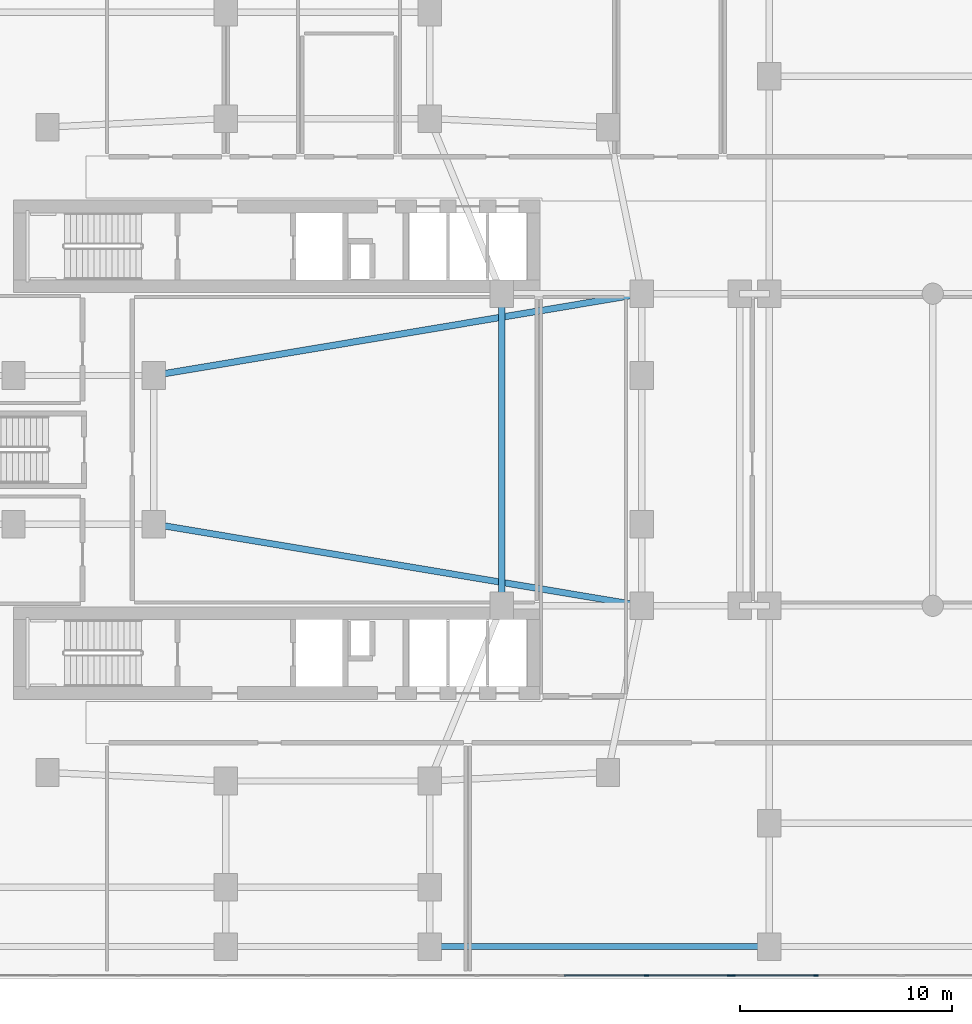
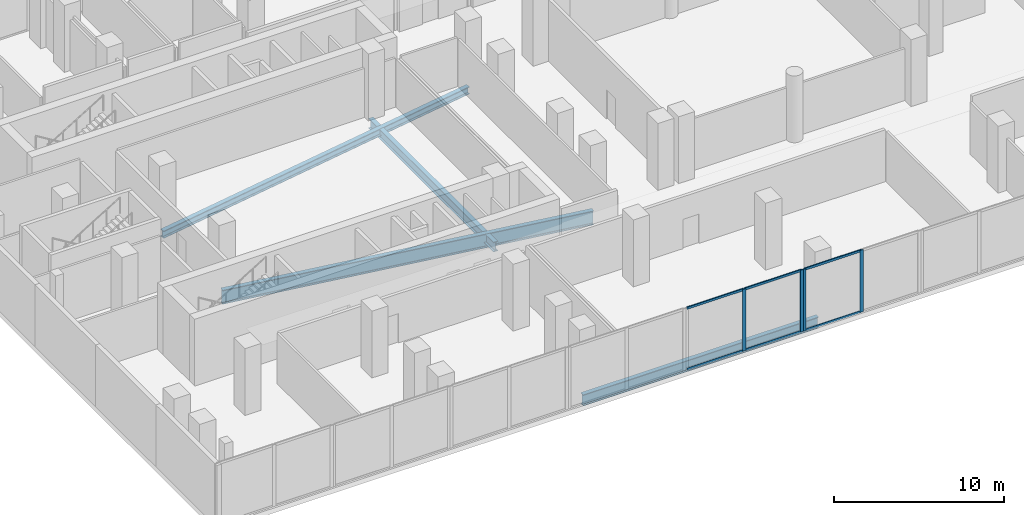
# One storey, part 3 of 23: 10 members, 4 beams, 2 elements without a shape of their own.
"""IFC4 building model written with IfcOpenShell, lengths in metres."""

from ifc_helpers import new_model, si_unit, derived_unit, direction, frame, origin, origin_2d, place, context, subcontext, project, spatial, rectangle, i_section, extrude, material, layer, layer_set, material_profile, profile_set, type_object, element, aggregate, save


model = new_model("IFC4")

# Units and contexts
model_context = context("Model", 3, precision=1e-05, world=origin(), true_north=direction((0.0, 1.0)))
body_context = subcontext(model_context, "Body", "Model", "MODEL_VIEW")
ifc_project = project(units=[si_unit("LENGTHUNIT", "METRE"), si_unit("AREAUNIT", "SQUARE_METRE"), si_unit("VOLUMEUNIT", "CUBIC_METRE"), si_unit("PLANEANGLEUNIT", "RADIAN"), si_unit("MASSUNIT", "GRAM", prefix="KILO"), derived_unit("THERMALTRANSMITTANCEUNIT", [(si_unit("POWERUNIT", "WATT"), 1), (si_unit("LENGTHUNIT", "METRE"), -2), (si_unit("THERMODYNAMICTEMPERATUREUNIT", "KELVIN"), -1)])], contexts=[model_context])

# Site, building, storey
site_placement = place(None, origin())
site = spatial("IfcSite", under=ifc_project, at=site_placement, CompositionType="ELEMENT")
building_placement = place(site_placement, origin())
building = spatial("IfcBuilding", under=site, at=building_placement, Name="Kivonza Crest Hotel", CompositionType="ELEMENT")
storey_placement = place(building_placement, frame((0.0, 0.0, 5.39990234375)))
storey = spatial("IfcBuildingStorey", under=building, at=storey_placement, Name="L01", CompositionType="ELEMENT", Elevation=5.39990234375)

# Beams
ifc_material_1 = material(Name="Steel S355", Category="steel")
ifc_material_profile_1 = material_profile(ifc_material_1, i_section(OverallWidth=0.300048828125, OverallDepth=1.0, WebThickness=0.01904296875, FlangeThickness=0.035888671875, FilletRadius=0.030029296875, at=origin_2d()), Name="HEB 1000")
ifc_profile_set_1 = profile_set([ifc_material_profile_1], Name="Steel S355")
beam_type_1 = type_object("IfcBeamType", Name="BM-HEB1000", PredefinedType="BEAM", material=ifc_profile_set_1)
beam_1_placement = place(storey_placement, frame((12.800048828125, 21.5, -0.849853515625), z_axis=(0.98627710051, -0.16509839796, 0.0), x_axis=(0.16509839796, 0.98627710051, 0.0)))
element("IfcBeam", 1, at=beam_1_placement, inside=storey, type_object=beam_type_1, Name="L01 ballroom long-span girder BAL1", PredefinedType="BEAM", context=body_context, shape_type="SweptSolid", body=[
    extrude(i_section(OverallWidth=0.300048828125, OverallDepth=1.0, WebThickness=0.01904296875, FlangeThickness=0.035888671875, FilletRadius=0.030029296875, at=origin_2d()), origin(), (0.0, 0.0, 1.0), 23.320068359375),
])
ifc_material_profile_2 = material_profile(ifc_material_1, i_section(OverallWidth=0.300048828125, OverallDepth=0.699951171875, WebThickness=0.01708984375, FlangeThickness=0.031982421875, FilletRadius=0.027099609375, at=origin_2d()), Name="HEB 700")
ifc_profile_set_2 = profile_set([ifc_material_profile_2], Name="Steel S355")
beam_type_2 = type_object("IfcBeamType", Name="BM-HEB700", PredefinedType="BEAM", material=ifc_profile_set_2)
beam_2_placement = place(storey_placement, frame((29.199951171875, 17.64990234375, -0.699951171875), z_axis=(0.0, 1.0, 0.0), x_axis=(-1.0, 0.0, 0.0)))
element("IfcBeam", 2, at=beam_2_placement, inside=storey, type_object=beam_type_2, Name="L01 podium girder Y 66", PredefinedType="BEAM", context=body_context, shape_type="SweptSolid", body=[
    extrude(i_section(OverallWidth=0.300048828125, OverallDepth=0.699951171875, WebThickness=0.01708984375, FlangeThickness=0.031982421875, FilletRadius=0.027099609375, at=origin_2d()), origin(), (0.0, 0.0, 1.0), 14.7001953125),
])
ifc_material_profile_3 = material_profile(ifc_material_1, i_section(OverallWidth=0.300048828125, OverallDepth=0.800048828125, WebThickness=0.017578125, FlangeThickness=0.032958984375, FilletRadius=0.030029296875, at=origin_2d()), Name="HEB 800")
ifc_profile_set_3 = profile_set([ifc_material_profile_3], Name="Steel S355")
beam_type_3 = type_object("IfcBeamType", Name="BM-HEB800", PredefinedType="BEAM", material=ifc_profile_set_3)
beam_3_placement = place(storey_placement, frame((25.800048828125, 1.60009765625, -0.75), z_axis=(1.0, 0.0, 0.0), x_axis=(0.0, 1.0, 0.0)))
element("IfcBeam", 3, at=beam_3_placement, inside=storey, type_object=beam_type_3, Name="L01 podium girder X 3", PredefinedType="BEAM", context=body_context, shape_type="SweptSolid", body=[
    extrude(i_section(OverallWidth=0.300048828125, OverallDepth=0.800048828125, WebThickness=0.017578125, FlangeThickness=0.032958984375, FilletRadius=0.030029296875, at=origin_2d()), origin(), (0.0, 0.0, 1.0), 16.0),
])
ifc_material_profile_4 = material_profile(ifc_material_1, i_section(OverallWidth=0.305908203125, OverallDepth=0.52392578125, WebThickness=0.02099609375, FlangeThickness=0.0400390625, FilletRadius=0.027099609375, at=origin_2d()), Name="HEM 500")
ifc_profile_set_4 = profile_set([ifc_material_profile_4], Name="Steel S355")
beam_type_4 = type_object("IfcBeamType", Name="BM-HEM500", PredefinedType="BEAM", material=ifc_profile_set_4)
beam_4_placement = place(storey_placement, frame((12.800048828125, 28.5, -0.61181640625), z_axis=(0.98627710051, 0.16509839796, 0.0), x_axis=(-0.16509839796, 0.98627710051, 0.0)))
element("IfcBeam", 4, at=beam_4_placement, inside=storey, type_object=beam_type_4, Name="L01 ballroom long-span girder BAL2", PredefinedType="BEAM", context=body_context, shape_type="SweptSolid", body=[
    extrude(i_section(OverallWidth=0.305908203125, OverallDepth=0.52392578125, WebThickness=0.02099609375, FlangeThickness=0.0400390625, FilletRadius=0.027099609375, at=origin_2d()), origin(), (0.0, 0.0, 1.0), 23.320068359375),
])

# Curtain wall, members
ifc_material_2 = material(Name="Anodised bronze aluminium and low-E double glazing", Category="aluminium")
ifc_layer = layer(ifc_material_2, 0.219970703125)
ifc_layer_set = layer_set([ifc_layer], Name="Anodised bronze aluminium and low-E double glazing")
curtain_wall_type = type_object("IfcCurtainWallType", Name="CW-SYS-1", PredefinedType="NOTDEFINED", material=ifc_layer_set)
curtain_wall_1_placement = place(storey_placement, origin())
curtain_wall_1 = element("IfcCurtainWall", 5, at=curtain_wall_1_placement, inside=storey, type_object=curtain_wall_type, Name="L01 unitised curtain wall CW-POD-L01-05", PredefinedType="NOTDEFINED")
ifc_material_3 = material(Name="Anodised bronze aluminium", Category="aluminium")
ifc_material_profile_5 = material_profile(ifc_material_3, rectangle(XDim=0.074951171875, YDim=0.219970703125, at=origin_2d()), Name="CW-M 75x220")
ifc_profile_set_5 = profile_set([ifc_material_profile_5], Name="Anodised bronze aluminium")
member_type_1 = type_object("IfcMemberType", Name="CW-MUL-75x220", PredefinedType="MULLION", material=ifc_profile_set_5)
member_1_placement = place(storey_placement, frame((36.02001953125, 0.239990234375, 0.0), z_axis=(0.0, 0.0, 1.0), x_axis=(0.0, 1.0, 0.0)))
member_1 = element("IfcMember", 6, at=member_1_placement, type_object=member_type_1, Name="CW-1 mullion 2", PredefinedType="MULLION", context=body_context, shape_type="SweptSolid", body=[
    extrude(rectangle(XDim=0.074951171875, YDim=0.219970703125, at=origin_2d()), origin(), (0.0, 0.0, 1.0), 4.4501953125),
])
member_2_placement = place(storey_placement, frame((39.935546875, 0.239990234375, 0.0), z_axis=(0.0, 0.0, 1.0), x_axis=(0.0, 1.0, 0.0)))
member_2 = element("IfcMember", 7, at=member_2_placement, type_object=member_type_1, Name="CW-1 mullion 3", PredefinedType="MULLION", context=body_context, shape_type="SweptSolid", body=[
    extrude(rectangle(XDim=0.074951171875, YDim=0.219970703125, at=origin_2d()), origin(), (0.0, 0.0, 1.0), 4.4501953125),
])

curtain_wall_2_placement = place(storey_placement, origin())
curtain_wall_2 = element("IfcCurtainWall", 8, at=curtain_wall_2_placement, inside=storey, type_object=curtain_wall_type, Name="L01 unitised curtain wall CW-POD-L01-06", PredefinedType="NOTDEFINED")
member_3_placement = place(storey_placement, frame((40.090576171875, 0.239990234375, 0.0), z_axis=(0.0, 0.0, 1.0), x_axis=(0.0, 1.0, 0.0)))
member_3 = element("IfcMember", 9, at=member_3_placement, type_object=member_type_1, Name="CW-1 mullion 1", PredefinedType="MULLION", context=body_context, shape_type="SweptSolid", body=[
    extrude(rectangle(XDim=0.074951171875, YDim=0.219970703125, at=origin_2d()), origin(), (0.0, 0.0, 1.0), 4.4501953125),
])
member_4_placement = place(storey_placement, frame((44.006591796875, 0.239990234375, 0.0), z_axis=(0.0, 0.0, 1.0), x_axis=(0.0, 1.0, 0.0)))
member_4 = element("IfcMember", 10, at=member_4_placement, type_object=member_type_1, Name="CW-1 mullion 2", PredefinedType="MULLION", context=body_context, shape_type="SweptSolid", body=[
    extrude(rectangle(XDim=0.074951171875, YDim=0.219970703125, at=origin_2d()), origin(), (0.0, 0.0, 1.0), 4.4501953125),
])

# Member
ifc_material_profile_6 = material_profile(ifc_material_3, rectangle(XDim=0.074951171875, YDim=0.159912109375, at=origin_2d()), Name="CW-T 75x160")
ifc_profile_set_6 = profile_set([ifc_material_profile_6], Name="Anodised bronze aluminium")
member_type_2 = type_object("IfcMemberType", Name="CW-TRN-75x160", PredefinedType="USERDEFINED", material=ifc_profile_set_6)
member_5_placement = place(storey_placement, frame((32.14208984375, 0.239990234375, 0.03759765625), z_axis=(1.0, 0.0, 0.0), x_axis=(0.0, 1.0, 0.0)))
member_5 = element("IfcMember", 11, at=member_5_placement, type_object=member_type_2, Name="CW-1 transom 1.1", ObjectType="TRANSOM", PredefinedType="USERDEFINED", context=body_context, shape_type="SweptSolid", body=[
    extrude(rectangle(XDim=0.074951171875, YDim=0.159912109375, at=origin_2d()), origin(), (0.0, 0.0, 1.0), 3.84033203125),
])

member_6_placement = place(storey_placement, frame((32.14208984375, 0.239990234375, 4.41259765625), z_axis=(1.0, 0.0, 0.0), x_axis=(0.0, 1.0, 0.0)))
member_6 = element("IfcMember", 12, at=member_6_placement, type_object=member_type_2, Name="CW-1 transom 1.2", ObjectType="TRANSOM", PredefinedType="USERDEFINED", context=body_context, shape_type="SweptSolid", body=[
    extrude(rectangle(XDim=0.074951171875, YDim=0.159912109375, at=origin_2d()), origin(), (0.0, 0.0, 1.0), 3.84033203125),
])

member_7_placement = place(storey_placement, frame((36.0576171875, 0.239990234375, 0.03759765625), z_axis=(1.0, 0.0, 0.0), x_axis=(0.0, 1.0, 0.0)))
member_7 = element("IfcMember", 13, at=member_7_placement, type_object=member_type_2, Name="CW-1 transom 2.1", ObjectType="TRANSOM", PredefinedType="USERDEFINED", context=body_context, shape_type="SweptSolid", body=[
    extrude(rectangle(XDim=0.074951171875, YDim=0.159912109375, at=origin_2d()), origin(), (0.0, 0.0, 1.0), 3.84033203125),
])

member_8_placement = place(storey_placement, frame((36.0576171875, 0.239990234375, 4.41259765625), z_axis=(1.0, 0.0, 0.0), x_axis=(0.0, 1.0, 0.0)))
member_8 = element("IfcMember", 14, at=member_8_placement, type_object=member_type_2, Name="CW-1 transom 2.2", ObjectType="TRANSOM", PredefinedType="USERDEFINED", context=body_context, shape_type="SweptSolid", body=[
    extrude(rectangle(XDim=0.074951171875, YDim=0.159912109375, at=origin_2d()), origin(), (0.0, 0.0, 1.0), 3.84033203125),
])

aggregate(curtain_wall_1, [member_1, member_2, member_5, member_6, member_7, member_8])

member_9_placement = place(storey_placement, frame((40.1279296875, 0.239990234375, 0.03759765625), z_axis=(1.0, 0.0, 0.0), x_axis=(0.0, 1.0, 0.0)))
member_9 = element("IfcMember", 15, at=member_9_placement, type_object=member_type_2, Name="CW-1 transom 1.1", ObjectType="TRANSOM", PredefinedType="USERDEFINED", context=body_context, shape_type="SweptSolid", body=[
    extrude(rectangle(XDim=0.074951171875, YDim=0.159912109375, at=origin_2d()), origin(), (0.0, 0.0, 1.0), 3.841064453125),
])

member_10_placement = place(storey_placement, frame((40.1279296875, 0.239990234375, 4.41259765625), z_axis=(1.0, 0.0, 0.0), x_axis=(0.0, 1.0, 0.0)))
member_10 = element("IfcMember", 16, at=member_10_placement, type_object=member_type_2, Name="CW-1 transom 1.2", ObjectType="TRANSOM", PredefinedType="USERDEFINED", context=body_context, shape_type="SweptSolid", body=[
    extrude(rectangle(XDim=0.074951171875, YDim=0.159912109375, at=origin_2d()), origin(), (0.0, 0.0, 1.0), 3.841064453125),
])

aggregate(curtain_wall_2, [member_3, member_4, member_9, member_10])

save(model, "model.ifc")
